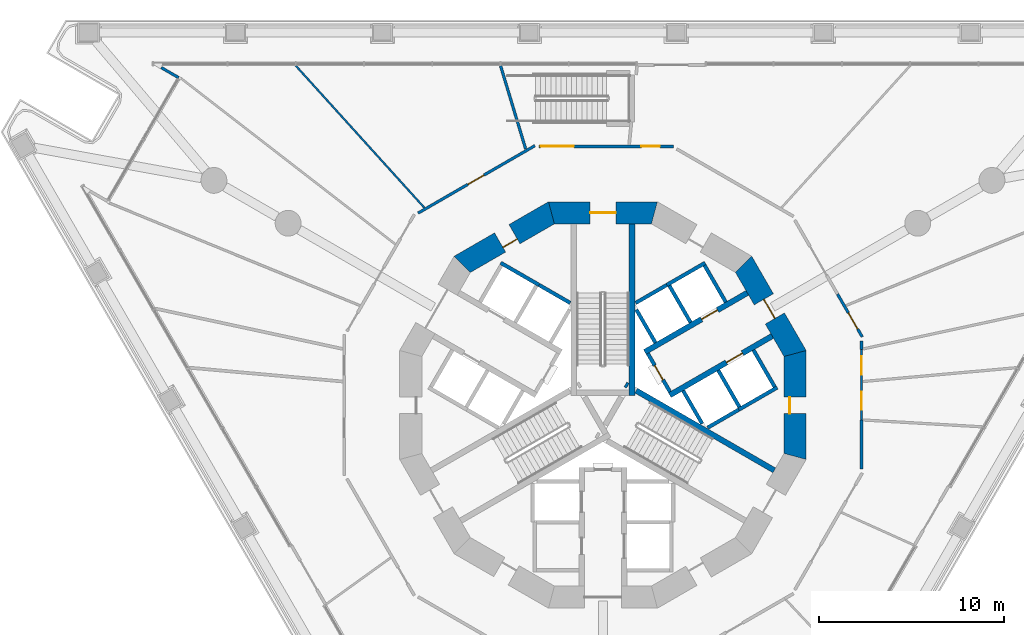
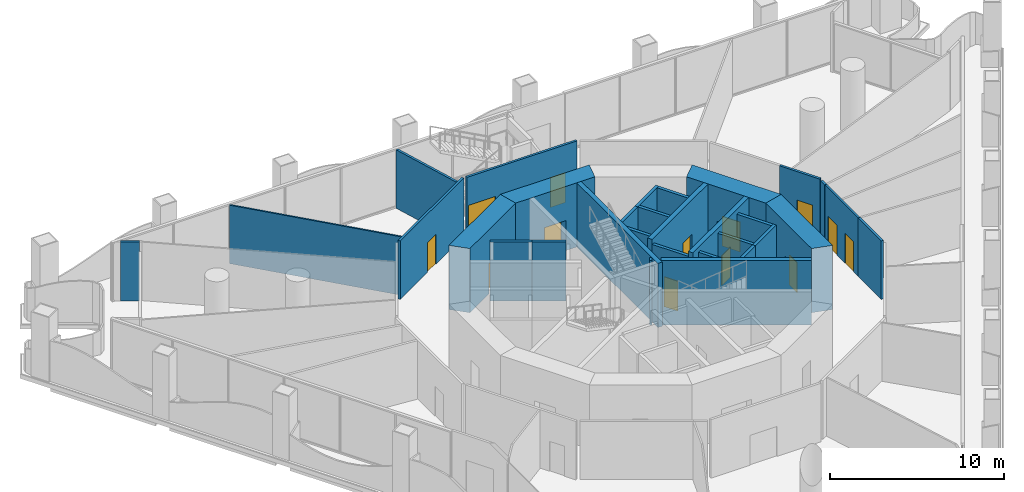
# One storey, part 12 of 21: 31 walls, 13 doors, 13 openings.
"""IFC4 building model written with IfcOpenShell, lengths in metres."""

from ifc_helpers import new_model, si_unit, direction, frame, frame_2d, origin, place, context, subcontext, project, spatial, polyline, rectangle, outline, extrude, material, layer, layer_set, type_object, element, fill, save


model = new_model("IFC4")

# Units and contexts
model_context = context("Model", 3, precision=1e-05, world=origin(), true_north=direction((0.0, 1.0)))
body_context = subcontext(model_context, "Body", "Model", "MODEL_VIEW")
ifc_project = project(units=[si_unit("LENGTHUNIT", "METRE"), si_unit("AREAUNIT", "SQUARE_METRE"), si_unit("VOLUMEUNIT", "CUBIC_METRE"), si_unit("PLANEANGLEUNIT", "RADIAN"), si_unit("MASSUNIT", "GRAM", prefix="KILO")], contexts=[model_context])

# Site, building, storey
site_placement = place(None, origin())
site = spatial("IfcSite", under=ifc_project, at=site_placement, CompositionType="ELEMENT")
building_placement = place(site_placement, origin())
building = spatial("IfcBuilding", under=site, at=building_placement, Name="Trine Commons Tower", CompositionType="ELEMENT")
storey_placement = place(building_placement, frame((0.0, 0.0, 13.5)))
storey = spatial("IfcBuildingStorey", under=building, at=storey_placement, Name="L02", CompositionType="ELEMENT", Elevation=13.5)

# Wall, opening, door
ifc_material_1 = material(Name="Plasterboard on steel stud", Category="steel")
ifc_layer_1 = layer(ifc_material_1, 0.14990234375)
ifc_layer_set_1 = layer_set([ifc_layer_1], Name="Plasterboard on steel stud")
wall_type_1 = type_object("IfcWallType", Name="Compartment wall 150 mm, EI 60", PredefinedType="PARTITIONING", material=ifc_layer_set_1)
wall_1_placement = place(storey_placement, frame((69.9853515625, 72.897216796875, 0.0), z_axis=(0.0, 0.0, 1.0), x_axis=(0.866025270247, 0.500000231294, 0.0)))
wall_1 = element("IfcWall", 1, at=wall_1_placement, inside=storey, type_object=wall_type_1, Name="Partition P2011", PredefinedType="PARTITIONING", context=body_context, shape_type="SweptSolid", body=[
    extrude(rectangle(XDim=7.3037109375, YDim=0.14990234375, at=frame_2d((3.65185546875, 0.0))), origin(), (0.0, 0.0, 1.0), 4.10009765625),
])
opening_1_placement = place(wall_1_placement, frame((3.109130859375, 0.0, 0.0)))
opening_1 = element("IfcOpeningElement", 2, at=opening_1_placement, cuts=wall_1, Name="Opening D-P207", PredefinedType="OPENING", context=body_context, shape_type="SweptSolid", body=[
    extrude(rectangle(XDim=1.0, YDim=2.10009765625, at=frame_2d((0.5, 1.050048828125))), frame((0.0, 0.0849609375, 0.0), z_axis=(0.0, -1.0, 0.0), x_axis=(1.0, 0.0, 0.0)), (0.0, 0.0, 1.0), 0.169921875),
])
ifc_material_2 = material(Name="Timber fire door set", Category="wood")
door_type_1 = type_object("IfcDoorType", Name="Single swing door 1000x2100, FD30S", OperationType="SINGLE_SWING_LEFT", PredefinedType="DOOR", material=ifc_material_2)
door_1_placement = place(opening_1_placement, origin())
door_1 = element("IfcDoor", 3, at=door_1_placement, inside=storey, type_object=door_type_1, Name="Door D-P207", OperationType="SINGLE_SWING_LEFT", OverallHeight=2.10009765625, OverallWidth=1.0, PredefinedType="DOOR", context=body_context, shape_type="SweptSolid", body=[
    extrude(rectangle(XDim=1.0, YDim=2.10009765625, at=frame_2d((0.5, 1.050048828125))), frame((0.0, 0.02490234375, 0.0), z_axis=(0.0, -1.0, 0.0), x_axis=(1.0, 0.0, 0.0)), (0.0, 0.0, 1.0), 0.050048828125),
])
fill(opening_1, door_1)

# Wall
wall_2_placement = place(storey_placement, frame((74.451416015625, 80.884521484375, 0.0), z_axis=(0.0, 0.0, 1.0), x_axis=(0.288924037908, -0.957352025286, 0.0)))
element("IfcWall", 4, at=wall_2_placement, inside=storey, type_object=wall_type_1, Name="Partition P2013", PredefinedType="PARTITIONING", context=body_context, shape_type="SweptSolid", body=[
    extrude(rectangle(XDim=4.716796875, YDim=0.14990234375, at=frame_2d((2.3583984375, 0.0))), origin(), (0.0, 0.0, 1.0), 4.10009765625),
])

# Wall, openings, doors
wall_3_placement = place(storey_placement, frame((76.525634765625, 76.511474609375, 0.0), z_axis=(0.0, 0.0, 1.0), x_axis=(1.0, 0.0, 0.0)))
wall_3 = element("IfcWall", 5, at=wall_3_placement, inside=storey, type_object=wall_type_1, Name="Partition P2016", PredefinedType="PARTITIONING", context=body_context, shape_type="SweptSolid", body=[
    extrude(rectangle(XDim=7.3037109375, YDim=0.14990234375, at=frame_2d((3.65185546875, 0.0))), origin(), (0.0, 0.0, 1.0), 4.10009765625),
])
opening_2_placement = place(wall_3_placement, frame((0.10009765625, 0.0, 0.0)))
opening_2 = element("IfcOpeningElement", 6, at=opening_2_placement, cuts=wall_3, Name="Opening D-P209", PredefinedType="OPENING", context=body_context, shape_type="SweptSolid", body=[
    extrude(rectangle(XDim=1.800048828125, YDim=2.10009765625, at=frame_2d((0.89990234375, 1.050048828125))), frame((0.0, 0.0849609375, 0.0), z_axis=(0.0, -1.0, 0.0), x_axis=(1.0, 0.0, 0.0)), (0.0, 0.0, 1.0), 0.169921875),
])
opening_3_placement = place(wall_3_placement, frame((5.55615234375, 0.0, 0.0)))
opening_3 = element("IfcOpeningElement", 7, at=opening_3_placement, cuts=wall_3, Name="Opening D-P210", PredefinedType="OPENING", context=body_context, shape_type="SweptSolid", body=[
    extrude(rectangle(XDim=1.0, YDim=2.10009765625, at=frame_2d((0.5, 1.050048828125))), frame((0.0, 0.0849609375, 0.0), z_axis=(0.0, -1.0, 0.0), x_axis=(1.0, 0.0, 0.0)), (0.0, 0.0, 1.0), 0.169921875),
])
door_type_2 = type_object("IfcDoorType", Name="Double swing door 1800x2100, FD30S", OperationType="DOUBLE_DOOR_DOUBLE_SWING", PredefinedType="DOOR", material=ifc_material_2)
door_2_placement = place(opening_2_placement, origin())
door_2 = element("IfcDoor", 8, at=door_2_placement, inside=storey, type_object=door_type_2, Name="Door D-P209", OperationType="DOUBLE_DOOR_DOUBLE_SWING", OverallHeight=2.10009765625, OverallWidth=1.800048828125, PredefinedType="DOOR", context=body_context, shape_type="SweptSolid", body=[
    extrude(rectangle(XDim=1.800048828125, YDim=2.10009765625, at=frame_2d((0.89990234375, 1.050048828125))), frame((0.0, 0.02490234375, 0.0), z_axis=(0.0, -1.0, 0.0), x_axis=(1.0, 0.0, 0.0)), (0.0, 0.0, 1.0), 0.050048828125),
])
fill(opening_2, door_2)
door_3_placement = place(opening_3_placement, origin())
door_3 = element("IfcDoor", 9, at=door_3_placement, inside=storey, type_object=door_type_1, Name="Door D-P210", OperationType="SINGLE_SWING_LEFT", OverallHeight=2.10009765625, OverallWidth=1.0, PredefinedType="DOOR", context=body_context, shape_type="SweptSolid", body=[
    extrude(rectangle(XDim=1.0, YDim=2.10009765625, at=frame_2d((0.5, 1.050048828125))), frame((0.0, 0.02490234375, 0.0), z_axis=(0.0, -1.0, 0.0), x_axis=(1.0, 0.0, 0.0)), (0.0, 0.0, 1.0), 0.050048828125),
])
fill(opening_3, door_3)

# Wall, opening, door
wall_4_placement = place(storey_placement, frame((92.7109375, 68.50732421875, 0.0), z_axis=(0.0, 0.0, 1.0), x_axis=(0.499975134057, -0.866039759667, 0.0)))
wall_4 = element("IfcWall", 10, at=wall_4_placement, inside=storey, type_object=wall_type_1, Name="Partition P2027", PredefinedType="PARTITIONING", context=body_context, shape_type="SweptSolid", body=[
    extrude(rectangle(XDim=2.676513671875, YDim=0.14990234375, at=frame_2d((1.33837890625, 0.0))), origin(), (0.0, 0.0, 1.0), 4.10009765625),
])
opening_4_placement = place(wall_4_placement, frame((1.177001953125, 0.0, 0.0)))
opening_4 = element("IfcOpeningElement", 11, at=opening_4_placement, cuts=wall_4, Name="Opening D-P215", PredefinedType="OPENING", context=body_context, shape_type="SweptSolid", body=[
    extrude(rectangle(XDim=1.0, YDim=2.10009765625, at=frame_2d((0.5, 1.050048828125))), frame((0.0, 0.0849609375, 0.0), z_axis=(0.0, -1.0, 0.0), x_axis=(1.0, 0.0, 0.0)), (0.0, 0.0, 1.0), 0.169921875),
])
door_4_placement = place(opening_4_placement, origin())
door_4 = element("IfcDoor", 12, at=door_4_placement, inside=storey, type_object=door_type_1, Name="Door D-P215", OperationType="SINGLE_SWING_LEFT", OverallHeight=2.10009765625, OverallWidth=1.0, PredefinedType="DOOR", context=body_context, shape_type="SweptSolid", body=[
    extrude(rectangle(XDim=1.0, YDim=2.10009765625, at=frame_2d((0.5, 1.050048828125))), frame((0.0, 0.02490234375, 0.0), z_axis=(0.0, -1.0, 0.0), x_axis=(1.0, 0.0, 0.0)), (0.0, 0.0, 1.0), 0.050048828125),
])
fill(opening_4, door_4)

# Walls
wall_5_placement = place(storey_placement, frame((94.011474609375, 59.025634765625, 0.0), z_axis=(0.0, 0.0, 1.0), x_axis=(0.0, 1.0, 0.0)))
element("IfcWall", 13, at=wall_5_placement, inside=storey, type_object=wall_type_1, Name="Partition P2030", PredefinedType="PARTITIONING", context=body_context, shape_type="SweptSolid", body=[
    extrude(rectangle(XDim=2.667236328125, YDim=0.14990234375, at=frame_2d((1.33349609375, 0.0))), origin(), (0.0, 0.0, 1.0), 4.10009765625),
])
wall_6_placement = place(storey_placement, frame((94.011474609375, 65.518310546875, 0.0), z_axis=(0.0, 0.0, 1.0), x_axis=(0.0, 1.0, 0.0)))
element("IfcWall", 14, at=wall_6_placement, inside=storey, type_object=wall_type_1, Name="Partition P2034", PredefinedType="PARTITIONING", context=body_context, shape_type="SweptSolid", body=[
    extrude(rectangle(XDim=0.4560546875, YDim=0.14990234375, at=frame_2d((0.22802734375, 0.0))), origin(), (0.0, 0.0, 1.0), 4.10009765625),
])
ifc_material_3 = material(Name="Aluminium-framed insulated wall panel", Category="aluminium")
ifc_layer_2 = layer(ifc_material_3, 0.14990234375)
ifc_layer_set_2 = layer_set([ifc_layer_2], Name="Aluminium-framed insulated wall panel")
wall_type_2 = type_object("IfcWallType", Name="Glazed frame wall 150, EI 60", PredefinedType="SOLIDWALL", material=ifc_layer_set_2)
wall_7_placement = place(storey_placement, frame((57.104248046875, 80.181884765625, 0.0), z_axis=(0.0, 0.0, 1.0), x_axis=(-0.86606770004, 0.49992673358, 0.0)))
element("IfcWall", 15, at=wall_7_placement, inside=storey, type_object=wall_type_2, Name="Glazed frame wall L02 R3", PredefinedType="SOLIDWALL", context=body_context, shape_type="SweptSolid", body=[
    extrude(outline(polyline([(0.110107421875, 0.074951171875), (0.110107421875, -0.074951171875), (1.19580078125, -0.074951171875), (1.19580078125, 0.074951171875), (0.110107421875, 0.074951171875)])), origin(), (0.0, 0.0, 1.0), 4.14990234375),
])

# Wall, opening, door
ifc_material_4 = material(Name="Fire-rated gypsum shaft wall system")
ifc_layer_3 = layer(ifc_material_4, 0.199951171875)
ifc_layer_set_3 = layer_set([ifc_layer_3], Name="Fire-rated gypsum shaft wall system")
wall_type_3 = type_object("IfcWallType", Name="Lobby end wall 200 mm, EI 120", PredefinedType="PARTITIONING", material=ifc_layer_set_3)
wall_8_placement = place(storey_placement, frame((83.631103515625, 63.2109375, 0.0), z_axis=(0.0, 0.0, 1.0), x_axis=(-0.50012165622, 0.865955154139, 0.0)))
wall_8 = element("IfcWall", 16, at=wall_8_placement, inside=storey, type_object=wall_type_3, Name="Lobby end wall L02", PredefinedType="PARTITIONING", context=body_context, shape_type="SweptSolid", body=[
    extrude(rectangle(XDim=2.39990234375, YDim=0.199951171875, at=frame_2d((1.199951171875, 0.0))), origin(), (0.0, 0.0, 1.0), 4.14990234375),
])
opening_5_placement = place(wall_8_placement, frame((0.749755859375, 0.0, 0.0)))
opening_5 = element("IfcOpeningElement", 17, at=opening_5_placement, cuts=wall_8, Name="Opening K05.05", PredefinedType="OPENING", context=body_context, shape_type="SweptSolid", body=[
    extrude(rectangle(XDim=0.89990234375, YDim=2.10009765625, at=frame_2d((0.449951171875, 1.050048828125))), frame((0.0, 0.10986328125, 0.0), z_axis=(0.0, -1.0, 0.0), x_axis=(1.0, 0.0, 0.0)), (0.0, 0.0, 1.0), 0.219970703125),
])
ifc_material_5 = material(Name="Steel door leaf, fire-rated", Category="steel")
door_type_3 = type_object("IfcDoorType", Name="Riser access door, single leaf 900 x 2100, FD60", OperationType="SINGLE_SWING_LEFT", PredefinedType="DOOR", material=ifc_material_5)
door_5_placement = place(opening_5_placement, frame((0.89990234375, 0.0, 0.0), z_axis=(0.0, 0.0, 1.0), x_axis=(-1.0, 0.0, 0.0)))
door_5 = element("IfcDoor", 18, at=door_5_placement, inside=storey, type_object=door_type_3, Name="Riser door, Electrical riser L02", OperationType="SINGLE_SWING_LEFT", OverallHeight=2.10009765625, OverallWidth=0.89990234375, PredefinedType="DOOR", context=body_context, shape_type="SweptSolid", body=[
    extrude(rectangle(XDim=0.89990234375, YDim=2.10009765625, at=frame_2d((0.449951171875, 1.050048828125))), frame((0.0, 0.02490234375, 0.0), z_axis=(0.0, -1.0, 0.0), x_axis=(1.0, 0.0, 0.0)), (0.0, 0.0, 1.0), 0.050048828125),
])
fill(opening_5, door_5)

# Wall
ifc_layer_4 = layer(ifc_material_1, 0.10009765625)
ifc_layer_set_4 = layer_set([ifc_layer_4], Name="Plasterboard on steel stud")
wall_type_4 = type_object("IfcWallType", Name="Partition wall 100 mm stud, not rated", PredefinedType="PARTITIONING", material=ifc_layer_set_4)
wall_9_placement = place(storey_placement, frame((63.354736328125, 80.884521484375, 0.0), z_axis=(0.0, 0.0, 1.0), x_axis=(0.671167028162, -0.741306158283, 0.0)))
element("IfcWall", 19, at=wall_9_placement, inside=storey, type_object=wall_type_4, Name="Partition P2005", PredefinedType="PARTITIONING", context=body_context, shape_type="SweptSolid", body=[
    extrude(rectangle(XDim=10.379638671875, YDim=0.10009765625, at=frame_2d((5.18994140625, 0.0))), origin(), (0.0, 0.0, 1.0), 4.10009765625),
])

# Wall, opening, door
ifc_material_6 = material(Name="Concrete C80/95", Category="concrete")
ifc_layer_5 = layer(ifc_material_6, 1.199951171875)
ifc_layer_set_5 = layer_set([ifc_layer_5], Name="Concrete C80/95")
wall_type_5 = type_object("IfcWallType", Name="RC shear wall 1200 mm, C80/95", PredefinedType="SHEAR", material=ifc_layer_set_5)
wall_10_placement = place(storey_placement, frame((90.41162109375, 59.549560546875, 0.0), z_axis=(0.0, 0.0, 1.0), x_axis=(0.0, 1.0, 0.0)))
wall_10 = element("IfcWall", 20, at=wall_10_placement, inside=storey, type_object=wall_type_5, Name="Core wall CWA-01 L02", PredefinedType="SHEAR", context=body_context, shape_type="SweptSolid", body=[
    extrude(outline(polyline([(0.0, -0.60009765625), (5.90087890625, -0.60009765625), (5.57958984375, 0.60009765625), (0.321533203125, 0.60009765625), (0.0, -0.60009765625)])), origin(), (0.0, 0.0, 1.0), 4.5),
])
opening_6_placement = place(wall_10_placement, frame((2.4755859375, 0.0, 0.0)))
opening_6 = element("IfcOpeningElement", 21, at=opening_6_placement, cuts=wall_10, Name="Opening K05.16", PredefinedType="OPENING", context=body_context, shape_type="SweptSolid", body=[
    extrude(rectangle(XDim=0.89990234375, YDim=2.10009765625, at=frame_2d((0.449951171875, 1.050048828125))), frame((0.0, 0.60986328125, 0.0), z_axis=(0.0, -1.0, 0.0), x_axis=(1.0, 0.0, 0.0)), (0.0, 0.0, 1.0), 1.219970703125),
])
door_type_4 = type_object("IfcDoorType", Name="Core room door, single leaf 900 x 2100, FD30S", OperationType="SINGLE_SWING_LEFT", PredefinedType="DOOR", material=ifc_material_5)
door_6_placement = place(opening_6_placement, origin())
door_6 = element("IfcDoor", 22, at=door_6_placement, inside=storey, type_object=door_type_4, Name="Door to Accessible WC L02", OperationType="SINGLE_SWING_LEFT", OverallHeight=2.10009765625, OverallWidth=0.89990234375, PredefinedType="DOOR", context=body_context, shape_type="SweptSolid", body=[
    extrude(rectangle(XDim=0.89990234375, YDim=2.10009765625, at=frame_2d((0.449951171875, 1.050048828125))), frame((0.0, 0.3251953125, 0.0), z_axis=(0.0, -1.0, 0.0), x_axis=(1.0, 0.0, 0.0)), (0.0, 0.0, 1.0), 0.050048828125),
])
fill(opening_6, door_6)

wall_11_placement = place(storey_placement, frame((90.491943359375, 65.150390625, 0.0), z_axis=(0.0, 0.0, 1.0), x_axis=(-0.499979111662, 0.866037463336, 0.0)))
wall_11 = element("IfcWall", 23, at=wall_11_placement, inside=storey, type_object=wall_type_5, Name="Core wall CWA-02 L02", PredefinedType="SHEAR", context=body_context, shape_type="SweptSolid", body=[
    extrude(outline(polyline([(0.0, -0.60009765625), (5.901123046875, -0.60009765625), (5.57958984375, 0.60009765625), (0.321533203125, 0.60009765625), (0.0, -0.60009765625)])), origin(), (0.0, 0.0, 1.0), 4.5),
])
opening_7_placement = place(wall_11_placement, frame((2.3505859375, 0.0, 0.0)))
opening_7 = element("IfcOpeningElement", 24, at=opening_7_placement, cuts=wall_11, Name="Opening K05.04", PredefinedType="OPENING", context=body_context, shape_type="SweptSolid", body=[
    extrude(rectangle(XDim=1.199951171875, YDim=2.10009765625, at=frame_2d((0.60009765625, 1.050048828125))), frame((0.0, 0.60986328125, 0.0), z_axis=(0.0, -1.0, 0.0), x_axis=(1.0, 0.0, 0.0)), (0.0, 0.0, 1.0), 1.219970703125),
])
ifc_material_7 = material(Name="Steel door leaves, fire-rated", Category="steel")
door_type_5 = type_object("IfcDoorType", Name="Lobby door, double leaf 1200 x 2100, FD60", OperationType="DOUBLE_DOOR_SINGLE_SWING", PredefinedType="DOOR", material=ifc_material_7)
door_7_placement = place(opening_7_placement, origin())
door_7 = element("IfcDoor", 25, at=door_7_placement, inside=storey, type_object=door_type_5, Name="Lobby door, Passenger lift lobby A L02", OperationType="DOUBLE_DOOR_SINGLE_SWING", OverallHeight=2.10009765625, OverallWidth=1.199951171875, PredefinedType="DOOR", context=body_context, shape_type="SweptSolid", body=[
    extrude(rectangle(XDim=1.199951171875, YDim=2.10009765625, at=frame_2d((0.60009765625, 1.050048828125))), frame((0.0, 0.02490234375, 0.0), z_axis=(0.0, -1.0, 0.0), x_axis=(1.0, 0.0, 0.0)), (0.0, 0.0, 1.0), 0.050048828125),
])
fill(opening_7, door_7)

wall_12_placement = place(storey_placement, frame((82.950439453125, 72.91162109375, 0.0), z_axis=(0.0, 0.0, 1.0), x_axis=(-1.0, 0.0, 0.0)))
wall_12 = element("IfcWall", 26, at=wall_12_placement, inside=storey, type_object=wall_type_5, Name="Core wall CWA-04 L02", PredefinedType="SHEAR", context=body_context, shape_type="SweptSolid", body=[
    extrude(outline(polyline([(0.0, -0.60009765625), (5.90087890625, -0.60009765625), (5.57958984375, 0.60009765625), (0.321533203125, 0.60009765625), (0.0, -0.60009765625)])), origin(), (0.0, 0.0, 1.0), 4.5),
])
opening_8_placement = place(wall_12_placement, frame((2.25048828125, 0.0, 0.0)))
opening_8 = element("IfcOpeningElement", 27, at=opening_8_placement, cuts=wall_12, Name="Opening K05.01", PredefinedType="OPENING", context=body_context, shape_type="SweptSolid", body=[
    extrude(rectangle(XDim=1.39990234375, YDim=2.10009765625, at=frame_2d((0.699951171875, 1.050048828125))), frame((0.0, 0.60986328125, 0.0), z_axis=(0.0, -1.0, 0.0), x_axis=(1.0, 0.0, 0.0)), (0.0, 0.0, 1.0), 1.219970703125),
])
door_type_6 = type_object("IfcDoorType", Name="Stair door, double leaf 1400 x 2100, FD90", OperationType="DOUBLE_DOOR_SINGLE_SWING", PredefinedType="DOOR", material=ifc_material_7)
door_8_placement = place(opening_8_placement, origin())
door_8 = element("IfcDoor", 28, at=door_8_placement, inside=storey, type_object=door_type_6, Name="Stair door to Exit stair ST1A L02", OperationType="DOUBLE_DOOR_SINGLE_SWING", OverallHeight=2.10009765625, OverallWidth=1.39990234375, PredefinedType="DOOR", context=body_context, shape_type="SweptSolid", body=[
    extrude(rectangle(XDim=1.39990234375, YDim=2.10009765625, at=frame_2d((0.699951171875, 1.050048828125))), frame((0.0, 0.02490234375, 0.0), z_axis=(0.0, -1.0, 0.0), x_axis=(1.0, 0.0, 0.0)), (0.0, 0.0, 1.0), 0.050048828125),
])
fill(opening_8, door_8)

wall_13_placement = place(storey_placement, frame((77.349609375, 72.991943359375, 0.0), z_axis=(0.0, 0.0, 1.0), x_axis=(-0.866037463336, -0.499979111662, 0.0)))
wall_13 = element("IfcWall", 29, at=wall_13_placement, inside=storey, type_object=wall_type_5, Name="Core wall CWA-05 L02", PredefinedType="SHEAR", context=body_context, shape_type="SweptSolid", body=[
    extrude(outline(polyline([(0.0, -0.60009765625), (5.901123046875, -0.60009765625), (5.57958984375, 0.60009765625), (0.321533203125, 0.60009765625), (0.0, -0.60009765625)])), origin(), (0.0, 0.0, 1.0), 4.5),
])
opening_9_placement = place(wall_13_placement, frame((2.474853515625, 0.0, 0.0)))
opening_9 = element("IfcOpeningElement", 30, at=opening_9_placement, cuts=wall_13, Name="Opening K05.12", PredefinedType="OPENING", context=body_context, shape_type="SweptSolid", body=[
    extrude(rectangle(XDim=0.89990234375, YDim=2.10009765625, at=frame_2d((0.449951171875, 1.050048828125))), frame((0.0, 0.60986328125, 0.0), z_axis=(0.0, -1.0, 0.0), x_axis=(1.0, 0.0, 0.0)), (0.0, 0.0, 1.0), 1.219970703125),
])
door_9_placement = place(opening_9_placement, origin())
door_9 = element("IfcDoor", 31, at=door_9_placement, inside=storey, type_object=door_type_4, Name="Door to Accessible WC L02", OperationType="SINGLE_SWING_LEFT", OverallHeight=2.10009765625, OverallWidth=0.89990234375, PredefinedType="DOOR", context=body_context, shape_type="SweptSolid", body=[
    extrude(rectangle(XDim=0.89990234375, YDim=2.10009765625, at=frame_2d((0.449951171875, 1.050048828125))), frame((0.0, 0.3251953125, 0.0), z_axis=(0.0, -1.0, 0.0), x_axis=(1.0, 0.0, 0.0)), (0.0, 0.0, 1.0), 0.050048828125),
])
fill(opening_9, door_9)

ifc_layer_6 = layer(ifc_material_6, 0.300048828125)
ifc_layer_set_6 = layer_set([ifc_layer_6], Name="Concrete C80/95")
wall_type_6 = type_object("IfcWallType", Name="RC shear wall 300 mm, C80/95", PredefinedType="SHEAR", material=ifc_layer_set_6)
wall_14_placement = place(storey_placement, frame((82.26904296875, 65.368896484375, 0.0), z_axis=(0.0, 0.0, 1.0), x_axis=(0.866022631842, 0.500004801114, 0.0)))
wall_14 = element("IfcWall", 32, at=wall_14_placement, inside=storey, type_object=wall_type_6, Name="Core cross wall SWA-05 L02", PredefinedType="SHEAR", context=body_context, shape_type="SweptSolid", body=[
    extrude(rectangle(XDim=6.412109375, YDim=0.300048828125, at=frame_2d((3.2060546875, 0.0))), origin(), (0.0, 0.0, 1.0), 4.5),
])
opening_10_placement = place(wall_14_placement, frame((3.55029296875, 0.0, 0.0)))
opening_10 = element("IfcOpeningElement", 33, at=opening_10_placement, cuts=wall_14, Name="Opening LD1", PredefinedType="OPENING", context=body_context, shape_type="SweptSolid", body=[
    extrude(rectangle(XDim=1.0, YDim=2.10009765625, at=frame_2d((0.5, 1.050048828125))), frame((0.0, 0.159912109375, 0.0), z_axis=(0.0, -1.0, 0.0), x_axis=(1.0, 0.0, 0.0)), (0.0, 0.0, 1.0), 0.320068359375),
])
ifc_material_8 = material(Name="Stainless steel sliding door leaves", Category="steel")
door_type_7 = type_object("IfcDoorType", Name="Lift landing door, centre-opening sliding 1000 x 2100, FD90", OperationType="DOUBLE_DOOR_SLIDING", PredefinedType="DOOR", material=ifc_material_8)
door_10_placement = place(opening_10_placement, origin())
door_10 = element("IfcDoor", 34, at=door_10_placement, inside=storey, type_object=door_type_7, Name="Lift landing door LR1 L02", OperationType="DOUBLE_DOOR_SLIDING", OverallHeight=2.10009765625, OverallWidth=1.0, PredefinedType="DOOR", context=body_context, shape_type="SweptSolid", body=[
    extrude(rectangle(XDim=1.0, YDim=2.10009765625, at=frame_2d((0.5, 1.050048828125))), frame((0.0, 0.02490234375, 0.0), z_axis=(0.0, -1.0, 0.0), x_axis=(1.0, 0.0, 0.0)), (0.0, 0.0, 1.0), 0.050048828125),
])
fill(opening_10, door_10)

wall_15_placement = place(storey_placement, frame((83.618896484375, 63.031005859375, 0.0), z_axis=(0.0, 0.0, 1.0), x_axis=(0.866032150378, 0.499988314375, 0.0)))
wall_15 = element("IfcWall", 35, at=wall_15_placement, inside=storey, type_object=wall_type_6, Name="Core cross wall SWA-06 L02", PredefinedType="SHEAR", context=body_context, shape_type="SweptSolid", body=[
    extrude(rectangle(XDim=6.412353515625, YDim=0.300048828125, at=frame_2d((3.2060546875, 0.0))), origin(), (0.0, 0.0, 1.0), 4.5),
])
opening_11_placement = place(wall_15_placement, frame((3.55029296875, 0.0, 0.0)))
opening_11 = element("IfcOpeningElement", 36, at=opening_11_placement, cuts=wall_15, Name="Opening LD2", PredefinedType="OPENING", context=body_context, shape_type="SweptSolid", body=[
    extrude(rectangle(XDim=1.0, YDim=2.10009765625, at=frame_2d((0.5, 1.050048828125))), frame((0.0, 0.159912109375, 0.0), z_axis=(0.0, -1.0, 0.0), x_axis=(1.0, 0.0, 0.0)), (0.0, 0.0, 1.0), 0.320068359375),
])
door_11_placement = place(opening_11_placement, origin())
door_11 = element("IfcDoor", 37, at=door_11_placement, inside=storey, type_object=door_type_7, Name="Lift landing door LR2 L02", OperationType="DOUBLE_DOOR_SLIDING", OverallHeight=2.10009765625, OverallWidth=1.0, PredefinedType="DOOR", context=body_context, shape_type="SweptSolid", body=[
    extrude(rectangle(XDim=1.0, YDim=2.10009765625, at=frame_2d((0.5, 1.050048828125))), frame((0.0, 0.02490234375, 0.0), z_axis=(0.0, -1.0, 0.0), x_axis=(1.0, 0.0, 0.0)), (0.0, 0.0, 1.0), 0.050048828125),
])
fill(opening_11, door_11)

# Walls
wall_16_placement = place(storey_placement, frame((81.220947265625, 63.614013671875, 0.0), z_axis=(0.0, 0.0, 1.0), x_axis=(0.867737973955, -0.497021939713, 0.0)))
element("IfcWall", 38, at=wall_16_placement, inside=storey, type_object=wall_type_6, Name="Core cross wall SWA-15 L02", PredefinedType="SHEAR", context=body_context, shape_type="SweptSolid", body=[
    extrude(rectangle(XDim=0.14892578125, YDim=0.300048828125, at=frame_2d((0.074462890625, 0.0))), origin(), (0.0, 0.0, 1.0), 4.5),
])
wall_17_placement = place(storey_placement, frame((81.574951171875, 63.0009765625, 0.0), z_axis=(0.0, 0.0, 1.0), x_axis=(0.0, 1.0, 0.0)))
element("IfcWall", 39, at=wall_17_placement, inside=storey, type_object=wall_type_6, Name="Core cross wall SWA-17 L02", PredefinedType="SHEAR", context=body_context, shape_type="SweptSolid", body=[
    extrude(rectangle(XDim=9.31103515625, YDim=0.300048828125, at=frame_2d((4.655517578125, 0.0))), origin(), (0.0, 0.0, 1.0), 4.5),
])
wall_18_placement = place(storey_placement, frame((81.800048828125, 63.280029296875, 0.0), z_axis=(0.0, 0.0, 1.0), x_axis=(0.865965399159, -0.500103916661, 0.0)))
element("IfcWall", 40, at=wall_18_placement, inside=storey, type_object=wall_type_6, Name="Core cross wall SWA-18 L02", PredefinedType="SHEAR", context=body_context, shape_type="SweptSolid", body=[
    extrude(rectangle(XDim=8.642333984375, YDim=0.300048828125, at=frame_2d((4.3212890625, 0.0))), origin(), (0.0, 0.0, 1.0), 4.5),
])
ifc_layer_7 = layer(ifc_material_4, 0.199951171875)
ifc_layer_set_7 = layer_set([ifc_layer_7], Name="Fire-rated gypsum shaft wall system")
wall_type_7 = type_object("IfcWallType", Name="Shaft wall 200 mm, EI 120", PredefinedType="PARTITIONING", material=ifc_layer_set_7)
wall_19_placement = place(storey_placement, frame((76.5380859375, 69.001953125, 0.0), z_axis=(0.0, 0.0, 1.0), x_axis=(-0.866202511239, 0.499693115345, 0.0)))
element("IfcWall", 41, at=wall_19_placement, inside=storey, type_object=wall_type_7, Name="Shaft wall L02", PredefinedType="PARTITIONING", context=body_context, shape_type="SweptSolid", body=[
    extrude(rectangle(XDim=2.4013671875, YDim=0.199951171875, at=frame_2d((1.20068359375, 0.0))), origin(), (0.0, 0.0, 1.0), 4.14990234375),
])
for number, where, z_axis, x_axis, name in (
    (42, (78.22509765625, 68.028076171875, 0.0), (0.0, 0.0, 1.0), (-0.866052014814, 0.499953905513, 0.0), "Shaft wall L02"),
    (43, (81.77490234375, 68.028076171875, 0.0), (0.0, 0.0, 1.0), (0.866052014814, 0.499953905513, 0.0), "Shaft wall L02"),
):
    element("IfcWall", number, at=place(storey_placement, frame(where, z_axis=z_axis, x_axis=x_axis)), inside=storey, type_object=wall_type_7, Name=name, PredefinedType="PARTITIONING", context=body_context, shape_type="SweptSolid", body=[
        extrude(rectangle(XDim=1.947998046875, YDim=0.199951171875, at=frame_2d((0.97412109375, 0.0))), origin(), (0.0, 0.0, 1.0), 4.14990234375),
    ])
wall_20_placement = place(storey_placement, frame((82.843994140625, 65.8740234375, 0.0), z_axis=(0.0, 0.0, 1.0), x_axis=(-0.499865770674, 0.866102887253, 0.0)))
element("IfcWall", 44, at=wall_20_placement, inside=storey, type_object=wall_type_7, Name="Shaft wall L02", PredefinedType="PARTITIONING", context=body_context, shape_type="SweptSolid", body=[
    extrude(rectangle(XDim=2.064453125, YDim=0.199951171875, at=frame_2d((1.0322265625, 0.0))), origin(), (0.0, 0.0, 1.0), 4.14990234375),
])
wall_21_placement = place(storey_placement, frame((83.4619140625, 69.001953125, 0.0), z_axis=(0.0, 0.0, 1.0), x_axis=(0.866202511239, 0.499693115345, 0.0)))
element("IfcWall", 45, at=wall_21_placement, inside=storey, type_object=wall_type_7, Name="Shaft wall L02", PredefinedType="PARTITIONING", context=body_context, shape_type="SweptSolid", body=[
    extrude(rectangle(XDim=2.4013671875, YDim=0.199951171875, at=frame_2d((1.20068359375, 0.0))), origin(), (0.0, 0.0, 1.0), 4.14990234375),
])
wall_22_placement = place(storey_placement, frame((84.343994140625, 63.27587890625, 0.0), z_axis=(0.0, 0.0, 1.0), x_axis=(0.500271688072, -0.86586848777, 0.0)))
element("IfcWall", 46, at=wall_22_placement, inside=storey, type_object=wall_type_7, Name="Shaft wall L02", PredefinedType="PARTITIONING", context=body_context, shape_type="SweptSolid", body=[
    extrude(rectangle(XDim=2.064697265625, YDim=0.199951171875, at=frame_2d((1.0322265625, 0.0))), origin(), (0.0, 0.0, 1.0), 4.14990234375),
])
wall_23_placement = place(storey_placement, frame((84.7490234375, 66.97412109375, 0.0), z_axis=(0.0, 0.0, 1.0), x_axis=(-0.500136062276, 0.86594683394, 0.0)))
element("IfcWall", 47, at=wall_23_placement, inside=storey, type_object=wall_type_7, Name="Shaft wall L02", PredefinedType="PARTITIONING", context=body_context, shape_type="SweptSolid", body=[
    extrude(rectangle(XDim=2.299072265625, YDim=0.199951171875, at=frame_2d((1.1494140625, 0.0))), origin(), (0.0, 0.0, 1.0), 4.14990234375),
])
wall_24_placement = place(storey_placement, frame((85.675048828125, 61.27294921875, 0.0), z_axis=(0.0, 0.0, 1.0), x_axis=(0.865780634835, 0.500423712812, 0.0)))
element("IfcWall", 48, at=wall_24_placement, inside=storey, type_object=wall_type_7, Name="Shaft wall L02", PredefinedType="PARTITIONING", context=body_context, shape_type="SweptSolid", body=[
    extrude(rectangle(XDim=1.948486328125, YDim=0.199951171875, at=frame_2d((0.97412109375, 0.0))), origin(), (0.0, 0.0, 1.0), 4.14990234375),
])
wall_25_placement = place(storey_placement, frame((86.2490234375, 64.3759765625, 0.0), z_axis=(0.0, 0.0, 1.0), x_axis=(0.500136062276, -0.86594683394, 0.0)))
element("IfcWall", 49, at=wall_25_placement, inside=storey, type_object=wall_type_7, Name="Shaft wall L02", PredefinedType="PARTITIONING", context=body_context, shape_type="SweptSolid", body=[
    extrude(rectangle(XDim=2.299072265625, YDim=0.199951171875, at=frame_2d((1.1494140625, 0.0))), origin(), (0.0, 0.0, 1.0), 4.14990234375),
])
wall_26_placement = place(storey_placement, frame((86.655029296875, 68.073974609375, 0.0), z_axis=(0.0, 0.0, 1.0), x_axis=(-0.500215680983, 0.865900844496, 0.0)))
element("IfcWall", 50, at=wall_26_placement, inside=storey, type_object=wall_type_7, Name="Shaft wall L02", PredefinedType="PARTITIONING", context=body_context, shape_type="SweptSolid", body=[
    extrude(rectangle(XDim=2.29931640625, YDim=0.199951171875, at=frame_2d((1.149658203125, 0.0))), origin(), (0.0, 0.0, 1.0), 4.14990234375),
])
wall_27_placement = place(storey_placement, frame((87.362060546875, 62.248046875, 0.0), z_axis=(0.0, 0.0, 1.0), x_axis=(0.866177122335, 0.499737123639, 0.0)))
element("IfcWall", 51, at=wall_27_placement, inside=storey, type_object=wall_type_7, Name="Shaft wall L02", PredefinedType="PARTITIONING", context=body_context, shape_type="SweptSolid", body=[
    extrude(rectangle(XDim=2.401123046875, YDim=0.199951171875, at=frame_2d((1.20068359375, 0.0))), origin(), (0.0, 0.0, 1.0), 4.14990234375),
])
wall_28_placement = place(storey_placement, frame((88.155029296875, 65.47607421875, 0.0), z_axis=(0.0, 0.0, 1.0), x_axis=(0.500136062276, -0.86594683394, 0.0)))
element("IfcWall", 52, at=wall_28_placement, inside=storey, type_object=wall_type_7, Name="Shaft wall L02", PredefinedType="PARTITIONING", context=body_context, shape_type="SweptSolid", body=[
    extrude(rectangle(XDim=2.299072265625, YDim=0.199951171875, at=frame_2d((1.1494140625, 0.0))), origin(), (0.0, 0.0, 1.0), 4.14990234375),
])

# Wall, openings, doors
ifc_layer_8 = layer(ifc_material_1, 0.125)
ifc_layer_set_8 = layer_set([ifc_layer_8], Name="Plasterboard on steel stud")
wall_type_8 = type_object("IfcWallType", Name="Wet wall 125 mm stud, not rated", PredefinedType="PARTITIONING", material=ifc_layer_set_8)
wall_29_placement = place(storey_placement, frame((94.011474609375, 65.518798828125, 0.0), z_axis=(0.0, 0.0, 1.0), x_axis=(0.0, -1.0, 0.0)))
wall_29 = element("IfcWall", 53, at=wall_29_placement, inside=storey, type_object=wall_type_8, Name="Partition P2031", PredefinedType="PARTITIONING", context=body_context, shape_type="SweptSolid", body=[
    extrude(rectangle(XDim=3.826171875, YDim=0.125, at=frame_2d((1.9130859375, 0.0))), origin(), (0.0, 0.0, 1.0), 4.10009765625),
])
opening_12_placement = place(wall_29_placement, frame((2.29052734375, 0.0, 0.0)))
opening_12 = element("IfcOpeningElement", 54, at=opening_12_placement, cuts=wall_29, Name="Opening D-P216", PredefinedType="OPENING", context=body_context, shape_type="SweptSolid", body=[
    extrude(rectangle(XDim=1.0, YDim=2.10009765625, at=frame_2d((0.5, 1.050048828125))), frame((0.0, 0.072509765625, 0.0), z_axis=(0.0, -1.0, 0.0), x_axis=(1.0, 0.0, 0.0)), (0.0, 0.0, 1.0), 0.14501953125),
])
opening_13_placement = place(wall_29_placement, frame((0.377685546875, 0.0, 0.0)))
opening_13 = element("IfcOpeningElement", 55, at=opening_13_placement, cuts=wall_29, Name="Opening D-P217", PredefinedType="OPENING", context=body_context, shape_type="SweptSolid", body=[
    extrude(rectangle(XDim=1.0, YDim=2.10009765625, at=frame_2d((0.5, 1.050048828125))), frame((0.0, 0.072509765625, 0.0), z_axis=(0.0, -1.0, 0.0), x_axis=(1.0, 0.0, 0.0)), (0.0, 0.0, 1.0), 0.14501953125),
])
ifc_material_9 = material(Name="Painted timber", Category="wood")
door_type_8 = type_object("IfcDoorType", Name="Single swing door 1000x2100, not rated", OperationType="SINGLE_SWING_LEFT", PredefinedType="DOOR", material=ifc_material_9)
door_12_placement = place(opening_12_placement, origin())
door_12 = element("IfcDoor", 56, at=door_12_placement, inside=storey, type_object=door_type_8, Name="Door D-P216", OperationType="SINGLE_SWING_LEFT", OverallHeight=2.10009765625, OverallWidth=1.0, PredefinedType="DOOR", context=body_context, shape_type="SweptSolid", body=[
    extrude(rectangle(XDim=1.0, YDim=2.10009765625, at=frame_2d((0.5, 1.050048828125))), frame((0.0, 0.02490234375, 0.0), z_axis=(0.0, -1.0, 0.0), x_axis=(1.0, 0.0, 0.0)), (0.0, 0.0, 1.0), 0.050048828125),
])
fill(opening_12, door_12)
door_13_placement = place(opening_13_placement, origin())
door_13 = element("IfcDoor", 57, at=door_13_placement, inside=storey, type_object=door_type_8, Name="Door D-P217", OperationType="SINGLE_SWING_LEFT", OverallHeight=2.10009765625, OverallWidth=1.0, PredefinedType="DOOR", context=body_context, shape_type="SweptSolid", body=[
    extrude(rectangle(XDim=1.0, YDim=2.10009765625, at=frame_2d((0.5, 1.050048828125))), frame((0.0, 0.02490234375, 0.0), z_axis=(0.0, -1.0, 0.0), x_axis=(1.0, 0.0, 0.0)), (0.0, 0.0, 1.0), 0.050048828125),
])
fill(opening_13, door_13)

save(model, "model.ifc")
